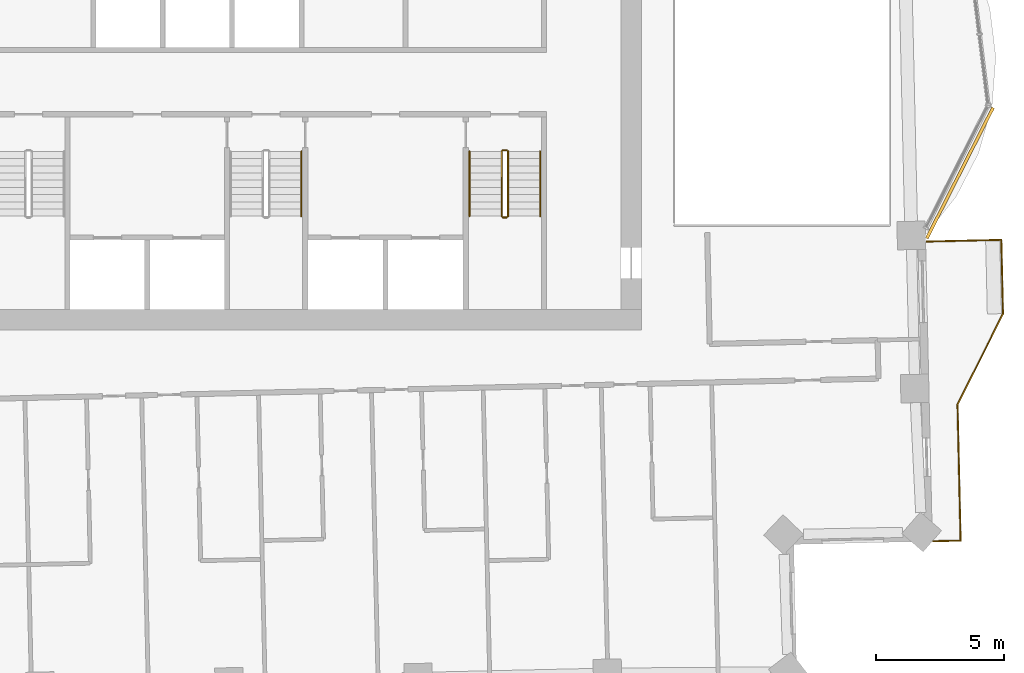
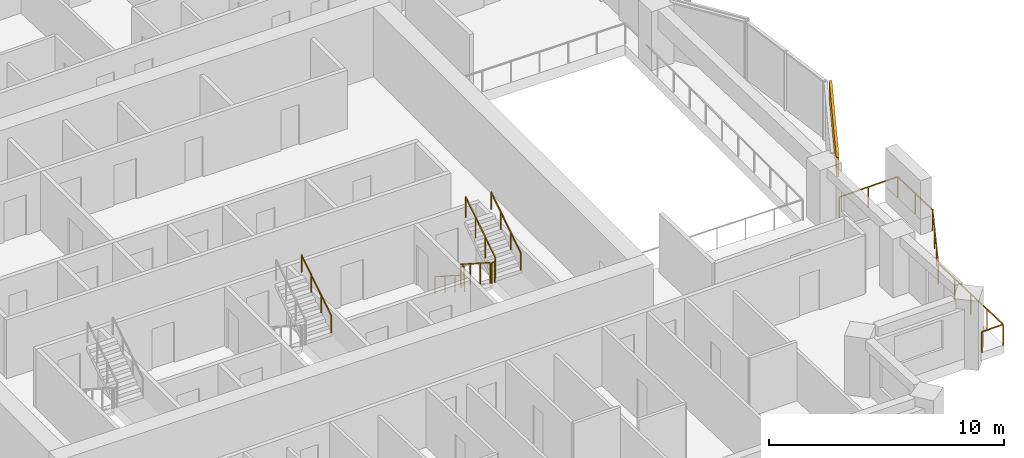
# One storey, part 15 of 16: 8 railings, 1 covering.
"""IFC4 building model written with IfcOpenShell, lengths in metres."""

from ifc_helpers import new_model, si_unit, direction, frame, frame_2d, origin, origin_2d, place, context, subcontext, project, spatial, rectangle, circle, extrude, material, layer, layer_set, type_object, element, save


model = new_model("IFC4")

# Units and contexts
model_context = context("Model", 3, precision=1e-05, world=origin(), true_north=direction((0.0, 1.0)))
body_context = subcontext(model_context, "Body", "Model", "MODEL_VIEW")
ifc_project = project(units=[si_unit("LENGTHUNIT", "METRE"), si_unit("AREAUNIT", "SQUARE_METRE"), si_unit("VOLUMEUNIT", "CUBIC_METRE"), si_unit("PLANEANGLEUNIT", "RADIAN"), si_unit("MASSUNIT", "GRAM", prefix="KILO")], contexts=[model_context])

# Site, building, storey
site_placement = place(None, origin())
site = spatial("IfcSite", under=ifc_project, at=site_placement, CompositionType="ELEMENT")
building_placement = place(site_placement, origin())
building = spatial("IfcBuilding", under=site, at=building_placement, Name="Mangrove Gate Tower", CompositionType="ELEMENT")
storey_placement = place(building_placement, frame((0.0, 0.0, 231.10009765625)))
storey = spatial("IfcBuildingStorey", under=building, at=storey_placement, Name="L58", CompositionType="ELEMENT", Elevation=231.10009765625)

# Railings
ifc_material_1 = material(Name="Stainless steel grade 316 with laminated glass infill", Category="steel")
railing_type_1 = type_object("IfcRailingType", Name="Balcony guard 1100", PredefinedType="GUARDRAIL", material=ifc_material_1)
railing_1_placement = place(storey_placement, frame((25.964111328125, -19.8291015625, 0.0)))
element("IfcRailing", 1, at=railing_1_placement, inside=storey, type_object=railing_type_1, Name="GUARD L58 E1", PredefinedType="GUARDRAIL", context=body_context, shape_type="SweptSolid", body=[
    extrude(rectangle(XDim=0.048095703125, YDim=0.048095703125, at=origin_2d()), frame((0.0, 0.0, 1.076171875), z_axis=(0.999739569486, 0.022820894023, 0.0), x_axis=(-0.022820894023, 0.999739569486, 0.0)), (0.0, 0.0, 1.0), 1.05908203125),
    extrude(rectangle(XDim=0.048095703125, YDim=0.048095703125, at=origin_2d()), frame((1.058837890625, 0.024169921875, 1.076171875), z_axis=(-0.022620938244, 0.999744113838, 0.0), x_axis=(-0.999744113838, -0.022620938244, 0.0)), (0.0, 0.0, 1.0), 5.29931640625),
    extrude(rectangle(XDim=0.048095703125, YDim=0.048095703125, at=origin_2d()), frame((0.93896484375, 5.322021484375, 1.076171875), z_axis=(0.447114919141, 0.894476522376, 0.0), x_axis=(-0.894476522376, 0.447114919141, 0.0)), (0.0, 0.0, 1.0), 3.958740234375),
    extrude(rectangle(XDim=0.048095703125, YDim=0.048095703125, at=origin_2d()), frame((2.708984375, 8.863037109375, 1.076171875), z_axis=(-0.022675106248, 0.999742886725, 0.0), x_axis=(-0.999742886725, -0.022675106248, 0.0)), (0.0, 0.0, 1.0), 2.874755859375),
    extrude(rectangle(XDim=0.048095703125, YDim=0.048095703125, at=origin_2d()), frame((2.643798828125, 11.737060546875, 1.076171875), z_axis=(-0.999743349437, -0.022654696127, 0.0), x_axis=(0.022654696127, -0.999743349437, 0.0)), (0.0, 0.0, 1.0), 2.90966796875),
    extrude(rectangle(XDim=0.0419921875, YDim=0.0419921875, at=origin_2d()), origin(), (0.0, 0.0, 1.0), 1.052001953125),
    extrude(rectangle(XDim=0.0419921875, YDim=0.0419921875, at=origin_2d()), frame((1.058837890625, 0.024169921875, 0.0)), (0.0, 0.0, 1.0), 1.052001953125),
    extrude(rectangle(XDim=0.0419921875, YDim=0.0419921875, at=origin_2d()), frame((1.02880859375, 1.3486328125, 0.0)), (0.0, 0.0, 1.0), 1.052001953125),
    extrude(rectangle(XDim=0.0419921875, YDim=0.0419921875, at=origin_2d()), frame((0.9990234375, 2.673095703125, 0.0)), (0.0, 0.0, 1.0), 1.052001953125),
    extrude(rectangle(XDim=0.0419921875, YDim=0.0419921875, at=origin_2d()), frame((0.968994140625, 3.99755859375, 0.0)), (0.0, 0.0, 1.0), 1.052001953125),
    extrude(rectangle(XDim=0.0419921875, YDim=0.0419921875, at=origin_2d()), frame((0.93896484375, 5.322021484375, 0.0)), (0.0, 0.0, 1.0), 1.052001953125),
    extrude(rectangle(XDim=0.0419921875, YDim=0.0419921875, at=origin_2d()), frame((1.529052734375, 6.50244140625, 0.0)), (0.0, 0.0, 1.0), 1.052001953125),
    extrude(rectangle(XDim=0.0419921875, YDim=0.0419921875, at=origin_2d()), frame((2.118896484375, 7.6826171875, 0.0)), (0.0, 0.0, 1.0), 1.052001953125),
    extrude(rectangle(XDim=0.0419921875, YDim=0.0419921875, at=origin_2d()), frame((2.708984375, 8.863037109375, 0.0)), (0.0, 0.0, 1.0), 1.052001953125),
    extrude(rectangle(XDim=0.0419921875, YDim=0.0419921875, at=origin_2d()), frame((2.67626953125, 10.300048828125, 0.0)), (0.0, 0.0, 1.0), 1.052001953125),
    extrude(rectangle(XDim=0.0419921875, YDim=0.0419921875, at=origin_2d()), frame((2.643798828125, 11.737060546875, 0.0)), (0.0, 0.0, 1.0), 1.052001953125),
    extrude(rectangle(XDim=0.0419921875, YDim=0.0419921875, at=origin_2d()), frame((1.189453125, 11.7041015625, 0.0)), (0.0, 0.0, 1.0), 1.052001953125),
    extrude(rectangle(XDim=0.0419921875, YDim=0.0419921875, at=origin_2d()), frame((-0.26513671875, 11.671142578125, 0.0)), (0.0, 0.0, 1.0), 1.052001953125),
])
ifc_material_2 = material(Name="Stainless steel 316", Category="steel")
railing_type_2 = type_object("IfcRailingType", Name="Core stair guard 1100", PredefinedType="GUARDRAIL", material=ifc_material_2)
railing_2_placement = place(storey_placement, frame((9.14990234375, -4.64990234375, 0.179931640625)))
element("IfcRailing", 2, at=railing_2_placement, inside=storey, type_object=railing_type_2, Name="L58 ST3 stair guard 1", PredefinedType="GUARDRAIL", context=body_context, shape_type="SweptSolid", body=[
    extrude(rectangle(XDim=0.048095703125, YDim=0.048095703125, at=origin_2d()), frame((0.0, 0.0, 1.076171875), z_axis=(0.0, -0.841199657755, 0.540724639528), x_axis=(1.0, 0.0, 0.0)), (0.0, 0.0, 1.0), 2.995849609375),
    extrude(rectangle(XDim=0.0419921875, YDim=0.0419921875, at=origin_2d()), origin(), (0.0, 0.0, 1.0), 1.052001953125),
    extrude(rectangle(XDim=0.0419921875, YDim=0.0419921875, at=origin_2d()), frame((0.0, -0.840087890625, 0.5400390625)), (0.0, 0.0, 1.0), 1.052001953125),
    extrude(rectangle(XDim=0.0419921875, YDim=0.0419921875, at=origin_2d()), frame((0.0, -1.679931640625, 1.079833984375)), (0.0, 0.0, 1.0), 1.052001953125),
    extrude(rectangle(XDim=0.0419921875, YDim=0.0419921875, at=origin_2d()), frame((0.0, -2.52001953125, 1.619873046875)), (0.0, 0.0, 1.0), 1.052001953125),
])
railing_3_placement = place(storey_placement, frame((9.199951171875, -7.219970703125, 1.7998046875)))
element("IfcRailing", 3, at=railing_3_placement, inside=storey, type_object=railing_type_2, Name="L58 ST3 stair guard 2", PredefinedType="GUARDRAIL", context=body_context, shape_type="SweptSolid", body=[
    extrude(rectangle(XDim=0.048095703125, YDim=0.048095703125, at=origin_2d()), frame((0.0, 0.0, 1.076171875), z_axis=(1.0, 0.0, 0.0), x_axis=(0.0, 1.0, 0.0)), (0.0, 0.0, 1.0), 0.150146484375),
    extrude(rectangle(XDim=0.0419921875, YDim=0.0419921875, at=origin_2d()), origin(), (0.0, 0.0, 1.0), 1.052001953125),
    extrude(rectangle(XDim=0.0419921875, YDim=0.0419921875, at=origin_2d()), frame((0.150146484375, 0.0, 0.0)), (0.0, 0.0, 1.0), 1.052001953125),
])
railing_4_placement = place(storey_placement, frame((9.39990234375, -7.169921875, 1.97998046875)))
element("IfcRailing", 4, at=railing_4_placement, inside=storey, type_object=railing_type_2, Name="L58 ST3 stair guard 3", PredefinedType="GUARDRAIL", context=body_context, shape_type="SweptSolid", body=[
    extrude(rectangle(XDim=0.048095703125, YDim=0.048095703125, at=origin_2d()), frame((0.0, 0.0, 1.076171875), z_axis=(0.0, 0.841199657755, 0.540724639528), x_axis=(-1.0, 0.0, 0.0)), (0.0, 0.0, 1.0), 2.995849609375),
    extrude(rectangle(XDim=0.0419921875, YDim=0.0419921875, at=origin_2d()), origin(), (0.0, 0.0, 1.0), 1.052001953125),
    extrude(rectangle(XDim=0.0419921875, YDim=0.0419921875, at=origin_2d()), frame((0.0, 0.840087890625, 0.5400390625)), (0.0, 0.0, 1.0), 1.052001953125),
    extrude(rectangle(XDim=0.0419921875, YDim=0.0419921875, at=origin_2d()), frame((0.0, 1.679931640625, 1.079833984375)), (0.0, 0.0, 1.0), 1.052001953125),
    extrude(rectangle(XDim=0.0419921875, YDim=0.0419921875, at=origin_2d()), frame((0.0, 2.52001953125, 1.619873046875)), (0.0, 0.0, 1.0), 1.052001953125),
])
railing_5_placement = place(storey_placement, frame((9.199951171875, -4.60009765625, 0.0)))
element("IfcRailing", 5, at=railing_5_placement, inside=storey, type_object=railing_type_2, Name="L58 ST3 stair guard 4", PredefinedType="GUARDRAIL", context=body_context, shape_type="SweptSolid", body=[
    extrude(rectangle(XDim=0.048095703125, YDim=0.048095703125, at=origin_2d()), frame((0.0, 0.0, 1.076171875), z_axis=(1.0, 0.0, 0.0), x_axis=(0.0, 1.0, 0.0)), (0.0, 0.0, 1.0), 0.150146484375),
    extrude(rectangle(XDim=0.0419921875, YDim=0.0419921875, at=origin_2d()), origin(), (0.0, 0.0, 1.0), 1.052001953125),
    extrude(rectangle(XDim=0.0419921875, YDim=0.0419921875, at=origin_2d()), frame((0.150146484375, 0.0, 0.0)), (0.0, 0.0, 1.0), 1.052001953125),
])
ifc_material_3 = material(Name="Stainless steel 316", Category="steel")
railing_type_3 = type_object("IfcRailingType", Name="Core stair handrail 900", PredefinedType="HANDRAIL", material=ifc_material_3)
railing_6_placement = place(storey_placement, frame((1.35009765625, -7.169921875, 1.97998046875)))
element("IfcRailing", 6, at=railing_6_placement, inside=storey, type_object=railing_type_3, Name="L58 ST2 stair handrail 2", PredefinedType="HANDRAIL", context=body_context, shape_type="SweptSolid", body=[
    extrude(circle(Radius=0.02392578125, at=origin_2d()), frame((0.0, 0.0, 0.8759765625), z_axis=(0.0, 0.841199657755, 0.540724639528), x_axis=(-1.0, 0.0, 0.0)), (0.0, 0.0, 1.0), 2.995849609375),
    extrude(circle(Radius=0.02099609375, at=origin_2d()), origin(), (0.0, 0.0, 1.0), 0.851806640625),
    extrude(circle(Radius=0.02099609375, at=origin_2d()), frame((0.0, 0.840087890625, 0.5400390625)), (0.0, 0.0, 1.0), 0.851806640625),
    extrude(circle(Radius=0.02099609375, at=origin_2d()), frame((0.0, 1.679931640625, 1.079833984375)), (0.0, 0.0, 1.0), 0.851806640625),
    extrude(circle(Radius=0.02099609375, at=origin_2d()), frame((0.0, 2.52001953125, 1.619873046875)), (0.0, 0.0, 1.0), 0.851806640625),
])
railing_7_placement = place(storey_placement, frame((7.89990234375, -4.64990234375, 0.179931640625)))
element("IfcRailing", 7, at=railing_7_placement, inside=storey, type_object=railing_type_3, Name="L58 ST3 stair handrail 1", PredefinedType="HANDRAIL", context=body_context, shape_type="SweptSolid", body=[
    extrude(circle(Radius=0.02392578125, at=origin_2d()), frame((0.0, 0.0, 0.8759765625), z_axis=(0.0, -0.841199657755, 0.540724639528), x_axis=(1.0, 0.0, 0.0)), (0.0, 0.0, 1.0), 2.995849609375),
    extrude(circle(Radius=0.02099609375, at=origin_2d()), origin(), (0.0, 0.0, 1.0), 0.851806640625),
    extrude(circle(Radius=0.02099609375, at=origin_2d()), frame((0.0, -0.840087890625, 0.5400390625)), (0.0, 0.0, 1.0), 0.851806640625),
    extrude(circle(Radius=0.02099609375, at=origin_2d()), frame((0.0, -1.679931640625, 1.079833984375)), (0.0, 0.0, 1.0), 0.851806640625),
    extrude(circle(Radius=0.02099609375, at=origin_2d()), frame((0.0, -2.52001953125, 1.619873046875)), (0.0, 0.0, 1.0), 0.851806640625),
])
railing_8_placement = place(storey_placement, frame((10.64990234375, -7.169921875, 1.97998046875)))
element("IfcRailing", 8, at=railing_8_placement, inside=storey, type_object=railing_type_3, Name="L58 ST3 stair handrail 2", PredefinedType="HANDRAIL", context=body_context, shape_type="SweptSolid", body=[
    extrude(circle(Radius=0.02392578125, at=origin_2d()), frame((0.0, 0.0, 0.8759765625), z_axis=(0.0, 0.841199657755, 0.540724639528), x_axis=(-1.0, 0.0, 0.0)), (0.0, 0.0, 1.0), 2.995849609375),
    extrude(circle(Radius=0.02099609375, at=origin_2d()), origin(), (0.0, 0.0, 1.0), 0.851806640625),
    extrude(circle(Radius=0.02099609375, at=origin_2d()), frame((0.0, 0.840087890625, 0.5400390625)), (0.0, 0.0, 1.0), 0.851806640625),
    extrude(circle(Radius=0.02099609375, at=origin_2d()), frame((0.0, 1.679931640625, 1.079833984375)), (0.0, 0.0, 1.0), 0.851806640625),
    extrude(circle(Radius=0.02099609375, at=origin_2d()), frame((0.0, 2.52001953125, 1.619873046875)), (0.0, 0.0, 1.0), 0.851806640625),
])

# Covering
ifc_material_4 = material(Name="Limestone", Category="masonry")
ifc_layer_1 = layer(ifc_material_4, 0.0400390625, Name="Limestone cladding")
ifc_material_5 = material(Name="Stainless steel anchors and cavity", Category="steel")
ifc_layer_2 = layer(ifc_material_5, 0.080078125, Name="Fixing cavity")
ifc_layer_set = layer_set([ifc_layer_1, ifc_layer_2], Name="Joint fascia cladding 120")
covering_type = type_object("IfcCoveringType", Name="Joint fascia cladding 120", PredefinedType="CLADDING", material=ifc_layer_set)
covering_placement = place(storey_placement, frame((25.706298828125, -8.031005859375, 2.0498046875), z_axis=(0.0, 0.0, 1.0), x_axis=(0.452649950178, 0.891688299017, 0.0)))
element("IfcCovering", 9, at=covering_placement, inside=storey, type_object=covering_type, Name="STONE FASCIA L58 E1.L1", PredefinedType="CLADDING", context=body_context, shape_type="SweptSolid", body=[
    extrude(rectangle(XDim=5.70361328125, YDim=0.1201171875, at=frame_2d((2.851806640625, 0.0))), origin(), (0.0, 0.0, 1.0), 1.0),
])

save(model, "model.ifc")
